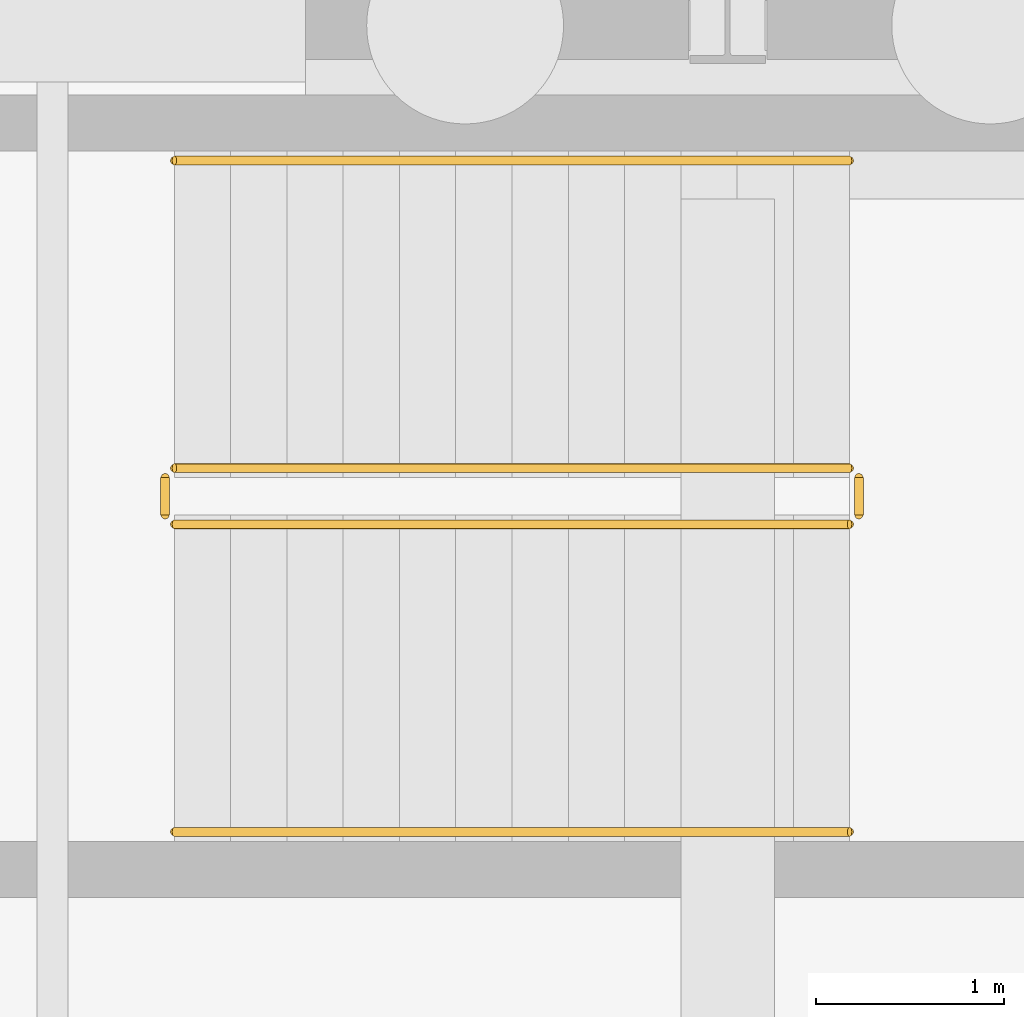
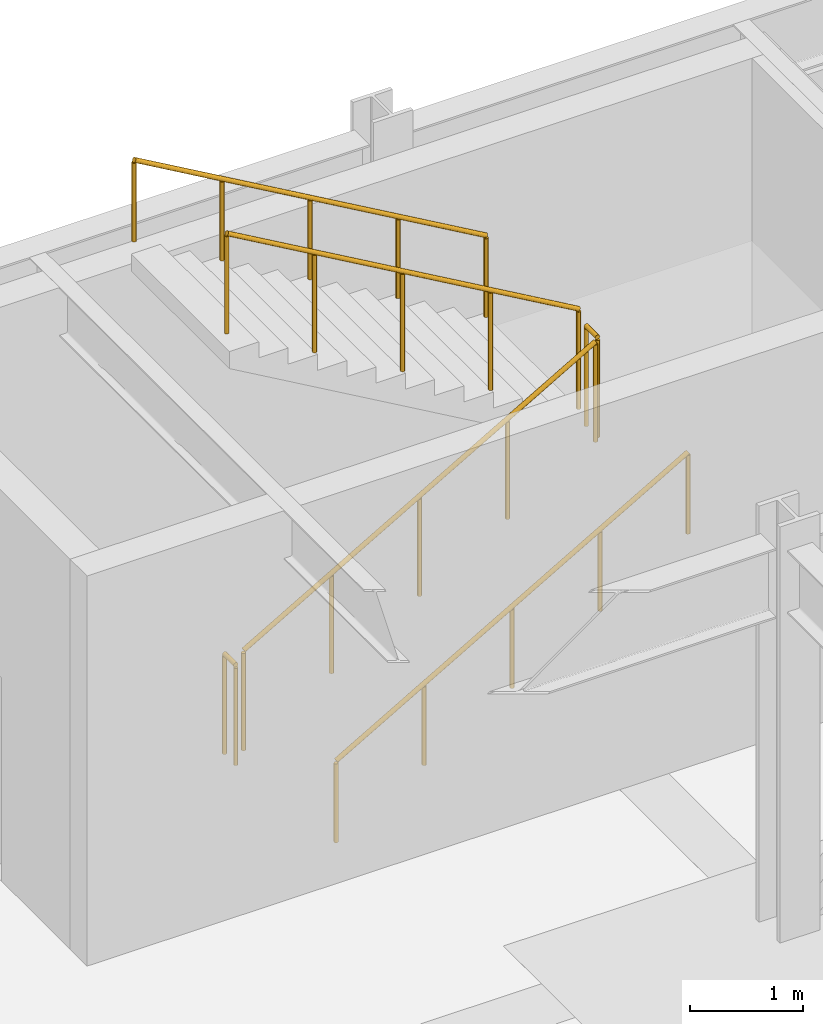
# One storey, part 49 of 54: 6 railings.
"""IFC4 building model written with IfcOpenShell, lengths in metres."""

from ifc_helpers import new_model, si_unit, direction, frame, origin, origin_2d, place, context, subcontext, project, spatial, circle, extrude, material, layer, layer_set, type_object, element, save


model = new_model("IFC4")

# Units and contexts
model_context = context("Model", 3, precision=1e-05, world=origin(), true_north=direction((0.0, 1.0)))
body_context = subcontext(model_context, "Body", "Model", "MODEL_VIEW")
ifc_project = project(units=[si_unit("LENGTHUNIT", "METRE"), si_unit("AREAUNIT", "SQUARE_METRE"), si_unit("VOLUMEUNIT", "CUBIC_METRE"), si_unit("PLANEANGLEUNIT", "RADIAN"), si_unit("MASSUNIT", "GRAM", prefix="KILO")], contexts=[model_context])

# Site, building, storey
site_placement = place(None, origin())
site = spatial("IfcSite", under=ifc_project, at=site_placement, CompositionType="ELEMENT")
building_placement = place(site_placement, origin())
building = spatial("IfcBuilding", under=site, at=building_placement, Name="Vaelcorin Mobility Hub", CompositionType="ELEMENT")
storey_placement = place(building_placement, frame((0.0, 0.0, -4.5)))
storey = spatial("IfcBuildingStorey", under=building, at=storey_placement, Name="B1", CompositionType="ELEMENT", Elevation=-4.5)

# Railings
ifc_material = material(Name="Brushed stainless steel 316L", Category="steel")
ifc_layer_1 = layer(ifc_material, 0.048095703125)
ifc_layer_set_1 = layer_set([ifc_layer_1], Name="Brushed stainless steel 316L")
railing_type_1 = type_object("IfcRailingType", Name="RL-STAIR-GRD", PredefinedType="GUARDRAIL", material=ifc_layer_set_1)
railing_1_placement = place(storey_placement, frame((47.449951171875, 117.340087890625, 0.173095703125)))
element("IfcRailing", 1, at=railing_1_placement, inside=storey, type_object=railing_type_1, Name="B1 ST3 stair guard 1", PredefinedType="GUARDRAIL", context=body_context, shape_type="SweptSolid", body=[
    extrude(circle(Radius=0.02392578125, at=origin_2d()), frame((0.0, 0.0, 1.076171875), z_axis=(0.866193409371, 0.0, 0.499708892819), x_axis=(0.0, 1.0, 0.0)), (0.0, 0.0, 1.0), 4.15625),
    extrude(circle(Radius=0.02099609375, at=origin_2d()), origin(), (0.0, 0.0, 1.0), 1.052001953125),
    extrude(circle(Radius=0.02099609375, at=origin_2d()), frame((0.89990234375, 0.0, 0.519287109375)), (0.0, 0.0, 1.0), 1.052001953125),
    extrude(circle(Radius=0.02099609375, at=origin_2d()), frame((1.800048828125, 0.0, 1.03857421875)), (0.0, 0.0, 1.0), 1.052001953125),
    extrude(circle(Radius=0.02099609375, at=origin_2d()), frame((2.7001953125, 0.0, 1.5576171875)), (0.0, 0.0, 1.0), 1.052001953125),
    extrude(circle(Radius=0.02099609375, at=origin_2d()), frame((3.60009765625, 0.0, 2.076904296875)), (0.0, 0.0, 1.0), 1.052001953125),
])
railing_2_placement = place(storey_placement, frame((51.10009765625, 117.389892578125, 2.25)))
element("IfcRailing", 2, at=railing_2_placement, inside=storey, type_object=railing_type_1, Name="B1 ST3 stair guard 2", PredefinedType="GUARDRAIL", context=body_context, shape_type="SweptSolid", body=[
    extrude(circle(Radius=0.02392578125, at=origin_2d()), frame((0.0, 0.0, 1.076171875), z_axis=(0.0, 1.0, 0.0), x_axis=(-1.0, 0.0, 0.0)), (0.0, 0.0, 1.0), 0.2001953125),
    extrude(circle(Radius=0.02099609375, at=origin_2d()), origin(), (0.0, 0.0, 1.0), 1.052001953125),
    extrude(circle(Radius=0.02099609375, at=origin_2d()), frame((0.0, 0.2001953125, 0.0)), (0.0, 0.0, 1.0), 1.052001953125),
])
railing_3_placement = place(storey_placement, frame((51.050048828125, 117.639892578125, 2.423095703125)))
element("IfcRailing", 3, at=railing_3_placement, inside=storey, type_object=railing_type_1, Name="B1 ST3 stair guard 3", PredefinedType="GUARDRAIL", context=body_context, shape_type="SweptSolid", body=[
    extrude(circle(Radius=0.02392578125, at=origin_2d()), frame((0.0, 0.0, 1.076171875), z_axis=(-0.866193409371, 0.0, 0.499708892819), x_axis=(0.0, -1.0, 0.0)), (0.0, 0.0, 1.0), 4.15625),
    extrude(circle(Radius=0.02099609375, at=origin_2d()), origin(), (0.0, 0.0, 1.0), 1.052001953125),
    extrude(circle(Radius=0.02099609375, at=origin_2d()), frame((-0.89990234375, 0.0, 0.519287109375)), (0.0, 0.0, 1.0), 1.052001953125),
    extrude(circle(Radius=0.02099609375, at=origin_2d()), frame((-1.800048828125, 0.0, 1.03857421875)), (0.0, 0.0, 1.0), 1.052001953125),
    extrude(circle(Radius=0.02099609375, at=origin_2d()), frame((-2.7001953125, 0.0, 1.5576171875)), (0.0, 0.0, 1.0), 1.052001953125),
    extrude(circle(Radius=0.02099609375, at=origin_2d()), frame((-3.60009765625, 0.0, 2.076904296875)), (0.0, 0.0, 1.0), 1.052001953125),
])
railing_4_placement = place(storey_placement, frame((47.39990234375, 117.389892578125, 0.0)))
element("IfcRailing", 4, at=railing_4_placement, inside=storey, type_object=railing_type_1, Name="B1 ST3 stair guard 4", PredefinedType="GUARDRAIL", context=body_context, shape_type="SweptSolid", body=[
    extrude(circle(Radius=0.02392578125, at=origin_2d()), frame((0.0, 0.0, 1.076171875), z_axis=(0.0, 1.0, 0.0), x_axis=(-1.0, 0.0, 0.0)), (0.0, 0.0, 1.0), 0.2001953125),
    extrude(circle(Radius=0.02099609375, at=origin_2d()), origin(), (0.0, 0.0, 1.0), 1.052001953125),
    extrude(circle(Radius=0.02099609375, at=origin_2d()), frame((0.0, 0.2001953125, 0.0)), (0.0, 0.0, 1.0), 1.052001953125),
])
ifc_layer_2 = layer(ifc_material, 0.048095703125)
ifc_layer_set_2 = layer_set([ifc_layer_2], Name="Brushed stainless steel 316L")
railing_type_2 = type_object("IfcRailingType", Name="RL-STAIR-HR", PredefinedType="HANDRAIL", material=ifc_layer_set_2)
railing_5_placement = place(storey_placement, frame((47.449951171875, 115.699951171875, 0.173095703125)))
element("IfcRailing", 5, at=railing_5_placement, inside=storey, type_object=railing_type_2, Name="B1 ST3 stair handrail 1", PredefinedType="HANDRAIL", context=body_context, shape_type="SweptSolid", body=[
    extrude(circle(Radius=0.02392578125, at=origin_2d()), frame((0.0, 0.0, 0.8759765625), z_axis=(0.866193409371, 0.0, 0.499708892819), x_axis=(0.0, 1.0, 0.0)), (0.0, 0.0, 1.0), 4.15625),
    extrude(circle(Radius=0.02099609375, at=origin_2d()), origin(), (0.0, 0.0, 1.0), 0.851806640625),
    extrude(circle(Radius=0.02099609375, at=origin_2d()), frame((0.89990234375, 0.0, 0.519287109375)), (0.0, 0.0, 1.0), 0.851806640625),
    extrude(circle(Radius=0.02099609375, at=origin_2d()), frame((1.800048828125, 0.0, 1.03857421875)), (0.0, 0.0, 1.0), 0.851806640625),
    extrude(circle(Radius=0.02099609375, at=origin_2d()), frame((2.7001953125, 0.0, 1.5576171875)), (0.0, 0.0, 1.0), 0.851806640625),
    extrude(circle(Radius=0.02099609375, at=origin_2d()), frame((3.60009765625, 0.0, 2.076904296875)), (0.0, 0.0, 1.0), 0.851806640625),
])
railing_6_placement = place(storey_placement, frame((51.050048828125, 119.280029296875, 2.423095703125)))
element("IfcRailing", 6, at=railing_6_placement, inside=storey, type_object=railing_type_2, Name="B1 ST3 stair handrail 2", PredefinedType="HANDRAIL", context=body_context, shape_type="SweptSolid", body=[
    extrude(circle(Radius=0.02392578125, at=origin_2d()), frame((0.0, 0.0, 0.8759765625), z_axis=(-0.866193409371, 0.0, 0.499708892819), x_axis=(0.0, -1.0, 0.0)), (0.0, 0.0, 1.0), 4.15625),
    extrude(circle(Radius=0.02099609375, at=origin_2d()), origin(), (0.0, 0.0, 1.0), 0.851806640625),
    extrude(circle(Radius=0.02099609375, at=origin_2d()), frame((-0.89990234375, 0.0, 0.519287109375)), (0.0, 0.0, 1.0), 0.851806640625),
    extrude(circle(Radius=0.02099609375, at=origin_2d()), frame((-1.800048828125, 0.0, 1.03857421875)), (0.0, 0.0, 1.0), 0.851806640625),
    extrude(circle(Radius=0.02099609375, at=origin_2d()), frame((-2.7001953125, 0.0, 1.5576171875)), (0.0, 0.0, 1.0), 0.851806640625),
    extrude(circle(Radius=0.02099609375, at=origin_2d()), frame((-3.60009765625, 0.0, 2.076904296875)), (0.0, 0.0, 1.0), 0.851806640625),
])

save(model, "model.ifc")
